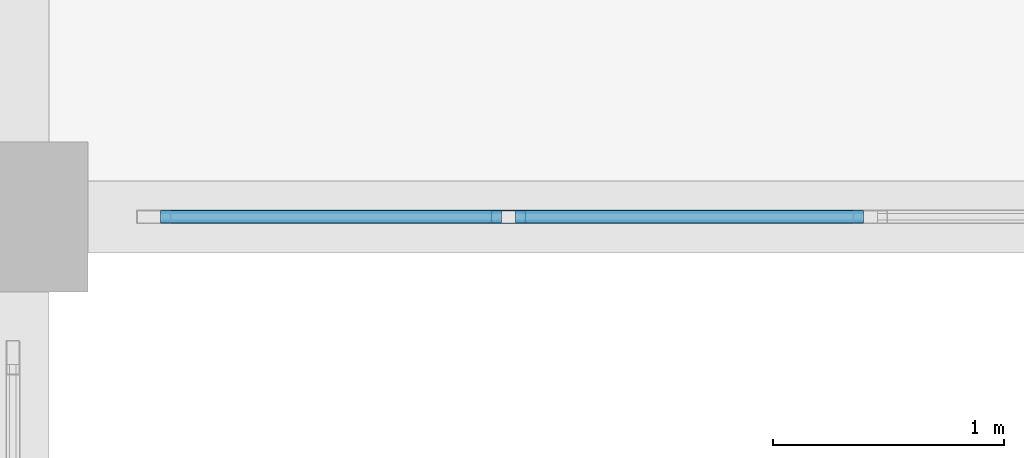
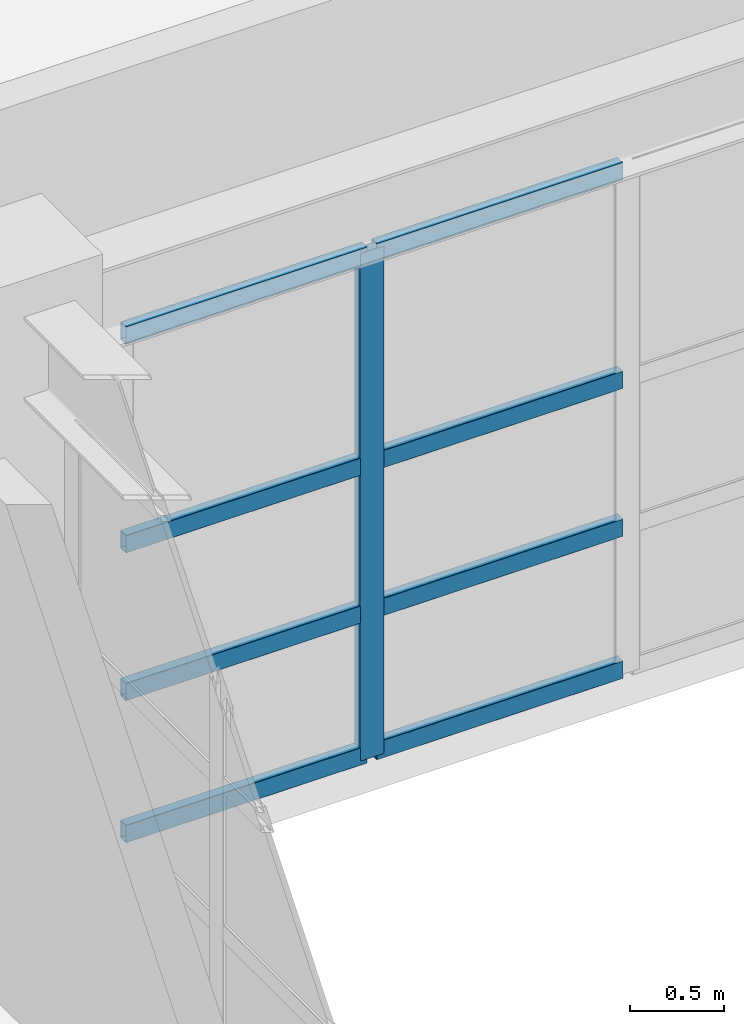
# One storey, part 62 of 110: 9 members, 1 element without a shape of its own.
"""IFC4 building model written with IfcOpenShell, lengths in metres."""

from ifc_helpers import new_model, si_unit, direction, frame, origin, origin_2d, place, context, subcontext, project, spatial, hollow_rectangle, extrude, material, material_profile, profile_set, type_object, element, aggregate, save


model = new_model("IFC4")

# Units and contexts
model_context = context("Model", 3, precision=1e-05, world=origin(), true_north=direction((0.0, 1.0)))
body_context = subcontext(model_context, "Body", "Model", "MODEL_VIEW")
ifc_project = project(units=[si_unit("LENGTHUNIT", "METRE"), si_unit("AREAUNIT", "SQUARE_METRE"), si_unit("VOLUMEUNIT", "CUBIC_METRE"), si_unit("PLANEANGLEUNIT", "RADIAN"), si_unit("MASSUNIT", "GRAM", prefix="KILO")], contexts=[model_context])

# Site, building, storey
site_placement = place(None, origin())
site = spatial("IfcSite", under=ifc_project, at=site_placement, CompositionType="ELEMENT")
building_placement = place(site_placement, origin())
building = spatial("IfcBuilding", under=site, at=building_placement, Name="Miravela Opera House", CompositionType="ELEMENT")
storey_placement = place(building_placement, frame((0.0, 0.0, 13.60009765625)))
storey = spatial("IfcBuildingStorey", under=building, at=storey_placement, Name="L03", CompositionType="ELEMENT", Elevation=13.60009765625)

# Curtain wall, members
ifc_material = material(Name="Anodised architectural bronze aluminium 6063-T6", Category="aluminium")
curtain_wall_type = type_object("IfcCurtainWallType", Name="ARC-CW-05", PredefinedType="NOTDEFINED", material=ifc_material)
curtain_wall_placement = place(storey_placement, origin())
curtain_wall = element("IfcCurtainWall", 1, at=curtain_wall_placement, inside=storey, type_object=curtain_wall_type, Name="Courtyard Arcade Curtain Wall CW-L03-102", PredefinedType="NOTDEFINED")
ifc_material_profile_1 = material_profile(ifc_material, hollow_rectangle(XDim=0.06005859375, YDim=0.14990234375, WallThickness=0.00390625, InnerFilletRadius=0.001953125, OuterFilletRadius=0.00390625, at=origin_2d()), Name="CWM-60X150")
ifc_profile_set_1 = profile_set([ifc_material_profile_1])
member_type_1 = type_object("IfcMemberType", Name="ARC-CWM-150", PredefinedType="MULLION", material=ifc_profile_set_1)
member_1_placement = place(storey_placement, frame((29.14794921875, 103.0, 0.0), z_axis=(0.0, 0.0, 1.0), x_axis=(0.0, 1.0, 0.0)))
member_1 = element("IfcMember", 2, at=member_1_placement, type_object=member_type_1, Name="CW-05 mullion 2", PredefinedType="MULLION", context=body_context, shape_type="SweptSolid", body=[
    extrude(hollow_rectangle(XDim=0.06005859375, YDim=0.14990234375, WallThickness=0.00390625, InnerFilletRadius=0.001953125, OuterFilletRadius=0.00390625, at=origin_2d()), origin(), (0.0, 0.0, 1.0), 3.289794921875),
])
ifc_material_profile_2 = material_profile(ifc_material, hollow_rectangle(XDim=0.06005859375, YDim=0.114990234375, WallThickness=0.00390625, InnerFilletRadius=0.001953125, OuterFilletRadius=0.00390625, at=origin_2d()), Name="CWT-60X115")
ifc_profile_set_2 = profile_set([ifc_material_profile_2])
member_type_2 = type_object("IfcMemberType", Name="ARC-CWT-115", PredefinedType="USERDEFINED", material=ifc_profile_set_2)
member_2_placement = place(storey_placement, frame((27.639892578125, 103.0, 0.02978515625), z_axis=(1.0, 0.0, 0.0), x_axis=(0.0, 1.0, 0.0)))
member_2 = element("IfcMember", 3, at=member_2_placement, type_object=member_type_2, Name="CW-05 transom 1.1", ObjectType="TRANSOM", PredefinedType="USERDEFINED", context=body_context, shape_type="SweptSolid", body=[
    extrude(hollow_rectangle(XDim=0.06005859375, YDim=0.114990234375, WallThickness=0.00390625, InnerFilletRadius=0.001953125, OuterFilletRadius=0.00390625, at=origin_2d()), origin(), (0.0, 0.0, 1.0), 1.47802734375),
])
member_3_placement = place(storey_placement, frame((27.639892578125, 103.0, 0.949951171875), z_axis=(1.0, 0.0, 0.0), x_axis=(0.0, 1.0, 0.0)))
member_3 = element("IfcMember", 4, at=member_3_placement, type_object=member_type_2, Name="CW-05 transom 1.2", ObjectType="TRANSOM", PredefinedType="USERDEFINED", context=body_context, shape_type="SweptSolid", body=[
    extrude(hollow_rectangle(XDim=0.06005859375, YDim=0.114990234375, WallThickness=0.00390625, InnerFilletRadius=0.001953125, OuterFilletRadius=0.00390625, at=origin_2d()), origin(), (0.0, 0.0, 1.0), 1.47802734375),
])
member_4_placement = place(storey_placement, frame((27.639892578125, 103.0, 1.908203125), z_axis=(1.0, 0.0, 0.0), x_axis=(0.0, 1.0, 0.0)))
member_4 = element("IfcMember", 5, at=member_4_placement, type_object=member_type_2, Name="CW-05 transom 1.3", ObjectType="TRANSOM", PredefinedType="USERDEFINED", context=body_context, shape_type="SweptSolid", body=[
    extrude(hollow_rectangle(XDim=0.06005859375, YDim=0.114990234375, WallThickness=0.00390625, InnerFilletRadius=0.001953125, OuterFilletRadius=0.00390625, at=origin_2d()), origin(), (0.0, 0.0, 1.0), 1.47802734375),
])
member_5_placement = place(storey_placement, frame((27.639892578125, 103.0, 3.260009765625), z_axis=(1.0, 0.0, 0.0), x_axis=(0.0, 1.0, 0.0)))
member_5 = element("IfcMember", 6, at=member_5_placement, type_object=member_type_2, Name="CW-05 transom 1.4", ObjectType="TRANSOM", PredefinedType="USERDEFINED", context=body_context, shape_type="SweptSolid", body=[
    extrude(hollow_rectangle(XDim=0.06005859375, YDim=0.114990234375, WallThickness=0.00390625, InnerFilletRadius=0.001953125, OuterFilletRadius=0.00390625, at=origin_2d()), origin(), (0.0, 0.0, 1.0), 1.47802734375),
])
member_6_placement = place(storey_placement, frame((29.177978515625, 103.0, 0.02978515625), z_axis=(1.0, 0.0, 0.0), x_axis=(0.0, 1.0, 0.0)))
member_6 = element("IfcMember", 7, at=member_6_placement, type_object=member_type_2, Name="CW-05 transom 2.1", ObjectType="TRANSOM", PredefinedType="USERDEFINED", context=body_context, shape_type="SweptSolid", body=[
    extrude(hollow_rectangle(XDim=0.06005859375, YDim=0.114990234375, WallThickness=0.00390625, InnerFilletRadius=0.001953125, OuterFilletRadius=0.00390625, at=origin_2d()), origin(), (0.0, 0.0, 1.0), 1.508056640625),
])
member_7_placement = place(storey_placement, frame((29.177978515625, 103.0, 0.949951171875), z_axis=(1.0, 0.0, 0.0), x_axis=(0.0, 1.0, 0.0)))
member_7 = element("IfcMember", 8, at=member_7_placement, type_object=member_type_2, Name="CW-05 transom 2.2", ObjectType="TRANSOM", PredefinedType="USERDEFINED", context=body_context, shape_type="SweptSolid", body=[
    extrude(hollow_rectangle(XDim=0.06005859375, YDim=0.114990234375, WallThickness=0.00390625, InnerFilletRadius=0.001953125, OuterFilletRadius=0.00390625, at=origin_2d()), origin(), (0.0, 0.0, 1.0), 1.508056640625),
])
member_8_placement = place(storey_placement, frame((29.177978515625, 103.0, 1.908203125), z_axis=(1.0, 0.0, 0.0), x_axis=(0.0, 1.0, 0.0)))
member_8 = element("IfcMember", 9, at=member_8_placement, type_object=member_type_2, Name="CW-05 transom 2.3", ObjectType="TRANSOM", PredefinedType="USERDEFINED", context=body_context, shape_type="SweptSolid", body=[
    extrude(hollow_rectangle(XDim=0.06005859375, YDim=0.114990234375, WallThickness=0.00390625, InnerFilletRadius=0.001953125, OuterFilletRadius=0.00390625, at=origin_2d()), origin(), (0.0, 0.0, 1.0), 1.508056640625),
])
member_9_placement = place(storey_placement, frame((29.177978515625, 103.0, 3.260009765625), z_axis=(1.0, 0.0, 0.0), x_axis=(0.0, 1.0, 0.0)))
member_9 = element("IfcMember", 10, at=member_9_placement, type_object=member_type_2, Name="CW-05 transom 2.4", ObjectType="TRANSOM", PredefinedType="USERDEFINED", context=body_context, shape_type="SweptSolid", body=[
    extrude(hollow_rectangle(XDim=0.06005859375, YDim=0.114990234375, WallThickness=0.00390625, InnerFilletRadius=0.001953125, OuterFilletRadius=0.00390625, at=origin_2d()), origin(), (0.0, 0.0, 1.0), 1.508056640625),
])
aggregate(curtain_wall, [member_1, member_2, member_3, member_4, member_5, member_6, member_7, member_8, member_9])

save(model, "model.ifc")
